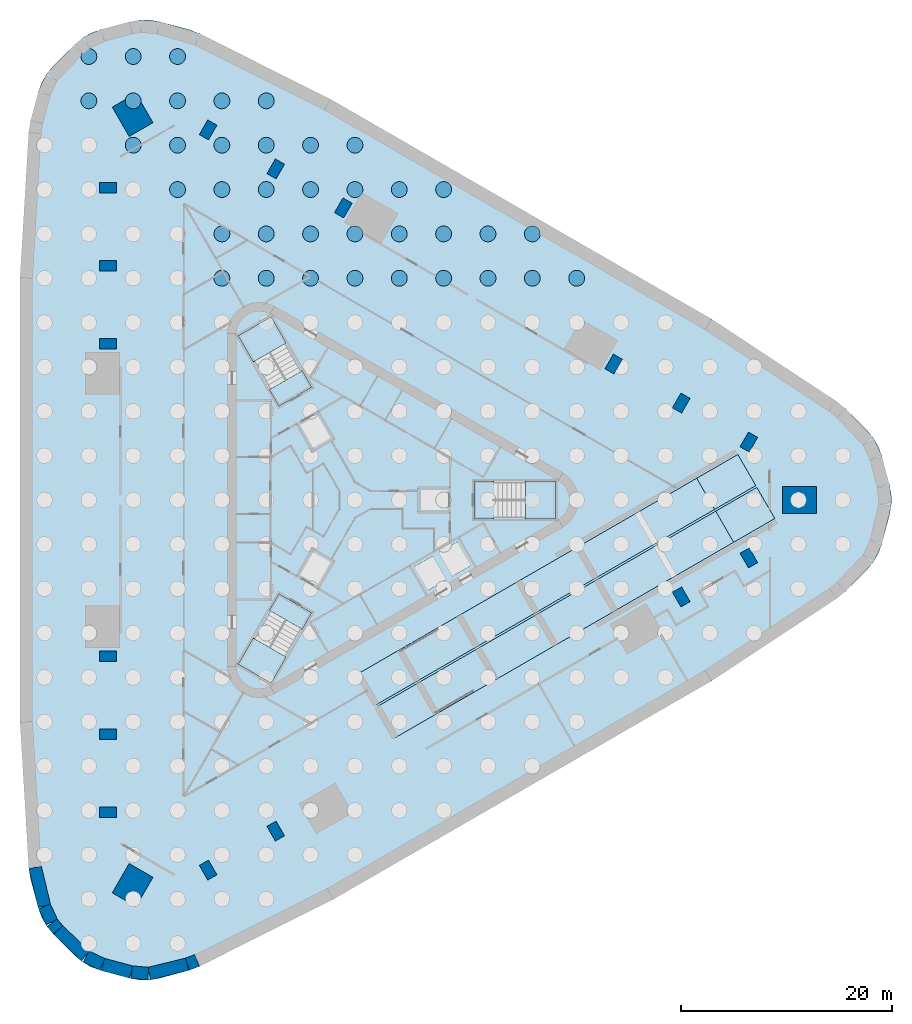
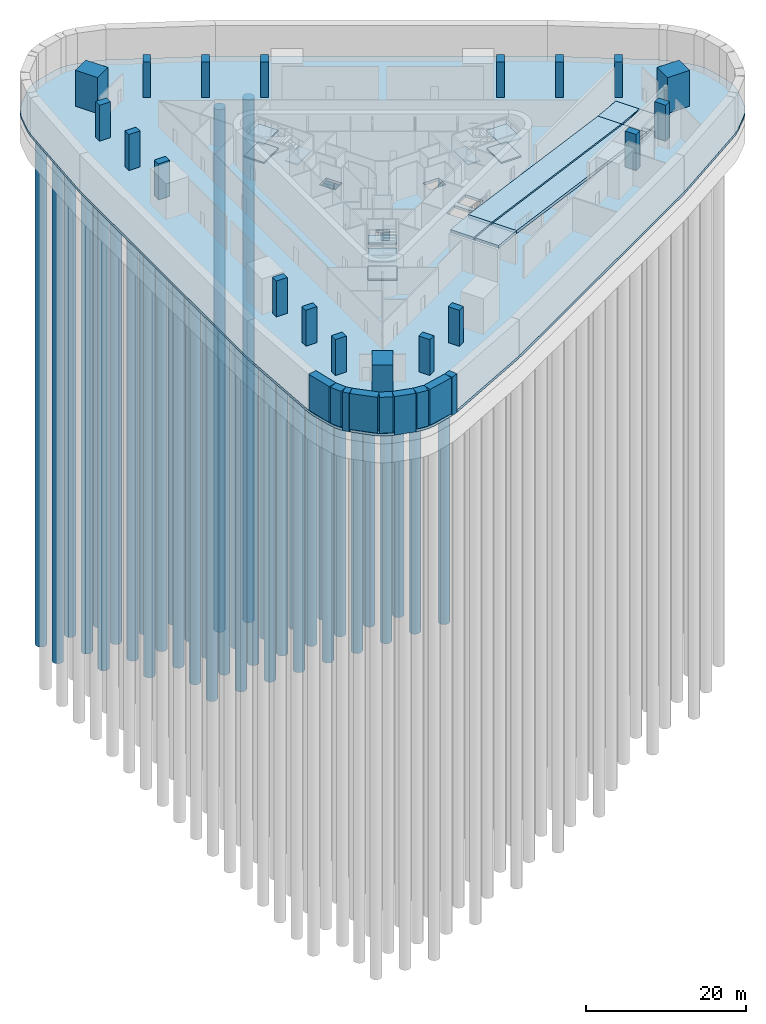
# One storey, part 2 of 13: 38 piles, 19 columns, 16 slabs, 9 walls, 3 elements without a shape of their own.
"""IFC4 building model written with IfcOpenShell, lengths in metres."""

from ifc_helpers import new_model, si_unit, direction, frame, frame_2d, origin, origin_2d, place, context, subcontext, project, spatial, polyline, rectangle, circle, outline, extrude, material, layer, layer_set, material_profile, profile_set, type_object, element, aggregate, save


model = new_model("IFC4")

# Units and contexts
model_context = context("Model", 3, precision=1e-05, world=origin(), true_north=direction((0.0, 1.0)))
body_context = subcontext(model_context, "Body", "Model", "MODEL_VIEW")
ifc_project = project(units=[si_unit("LENGTHUNIT", "METRE"), si_unit("AREAUNIT", "SQUARE_METRE"), si_unit("VOLUMEUNIT", "CUBIC_METRE"), si_unit("PLANEANGLEUNIT", "RADIAN"), si_unit("MASSUNIT", "GRAM", prefix="KILO")], contexts=[model_context])

# Site, building, storey
site_placement = place(None, origin())
site = spatial("IfcSite", under=ifc_project, at=site_placement, CompositionType="ELEMENT")
building_placement = place(site_placement, origin())
building = spatial("IfcBuilding", under=site, at=building_placement, Name="Tanit Gate Tower", CompositionType="ELEMENT")
storey_placement = place(building_placement, frame((0.0, 0.0, -11.0)))
storey = spatial("IfcBuildingStorey", under=building, at=storey_placement, Name="B2", CompositionType="ELEMENT", Elevation=-11.0)

# Piles
ifc_material_1 = material(Name="Concrete C35/45", Category="concrete")
ifc_material_profile_1 = material_profile(ifc_material_1, circle(Radius=0.75, at=origin_2d()), Name="BORED PILE D1500 C35/45")
ifc_profile_set_1 = profile_set([ifc_material_profile_1], Name="Concrete C35/45")
pile_type = type_object("IfcPileType", Name="BORED PILE D1500", PredefinedType="BORED", material=ifc_profile_set_1)
for number, where, z_axis, x_axis, name in (
    (1, (-12.60009765625, 21.0, -4.39990234375), (0.0, 0.0, -1.0), (1.0, 0.0, 0.0), "BORED PILE 213"),
    (2, (-8.39990234375, 21.0, -4.39990234375), (0.0, 0.0, -1.0), (1.0, 0.0, 0.0), "BORED PILE 214"),
    (3, (-4.199951171875, 21.0, -4.39990234375), (0.0, 0.0, -1.0), (1.0, 0.0, 0.0), "BORED PILE 215"),
    (4, (0.0, 21.0, -4.39990234375), (0.0, 0.0, -1.0), (1.0, 0.0, 0.0), "BORED PILE 216"),
    (5, (4.199951171875, 21.0, -4.39990234375), (0.0, 0.0, -1.0), (1.0, 0.0, 0.0), "BORED PILE 217"),
    (6, (8.39990234375, 21.0, -4.39990234375), (0.0, 0.0, -1.0), (1.0, 0.0, 0.0), "BORED PILE 218"),
    (7, (12.60009765625, 21.0, -4.39990234375), (0.0, 0.0, -1.0), (1.0, 0.0, 0.0), "BORED PILE 219"),
    (8, (16.800048828125, 21.0, -4.39990234375), (0.0, 0.0, -1.0), (1.0, 0.0, 0.0), "BORED PILE 220"),
    (9, (21.0, 21.0, -4.39990234375), (0.0, 0.0, -1.0), (1.0, 0.0, 0.0), "BORED PILE 221"),
    (10, (-12.60009765625, 25.199951171875, -4.39990234375), (0.0, 0.0, -1.0), (1.0, 0.0, 0.0), "BORED PILE 226"),
    (11, (-8.39990234375, 25.199951171875, -4.39990234375), (0.0, 0.0, -1.0), (1.0, 0.0, 0.0), "BORED PILE 227"),
    (12, (-4.199951171875, 25.199951171875, -4.39990234375), (0.0, 0.0, -1.0), (1.0, 0.0, 0.0), "BORED PILE 228"),
    (13, (0.0, 25.199951171875, -4.39990234375), (0.0, 0.0, -1.0), (1.0, 0.0, 0.0), "BORED PILE 229"),
    (14, (4.199951171875, 25.199951171875, -4.39990234375), (0.0, 0.0, -1.0), (1.0, 0.0, 0.0), "BORED PILE 230"),
    (15, (8.39990234375, 25.199951171875, -4.39990234375), (0.0, 0.0, -1.0), (1.0, 0.0, 0.0), "BORED PILE 231"),
    (16, (12.60009765625, 25.199951171875, -4.39990234375), (0.0, 0.0, -1.0), (1.0, 0.0, 0.0), "BORED PILE 232"),
    (17, (16.800048828125, 25.199951171875, -4.39990234375), (0.0, 0.0, -1.0), (1.0, 0.0, 0.0), "BORED PILE 233"),
    (18, (-16.800048828125, 29.39990234375, -4.39990234375), (0.0, 0.0, -1.0), (1.0, 0.0, 0.0), "BORED PILE 237"),
    (19, (-12.60009765625, 29.39990234375, -4.39990234375), (0.0, 0.0, -1.0), (1.0, 0.0, 0.0), "BORED PILE 238"),
    (20, (-8.39990234375, 29.39990234375, -4.39990234375), (0.0, 0.0, -1.0), (1.0, 0.0, 0.0), "BORED PILE 239"),
    (21, (-4.199951171875, 29.39990234375, -4.39990234375), (0.0, 0.0, -1.0), (1.0, 0.0, 0.0), "BORED PILE 240"),
    (22, (0.0, 29.39990234375, -4.39990234375), (0.0, 0.0, -1.0), (1.0, 0.0, 0.0), "BORED PILE 241"),
    (23, (4.199951171875, 29.39990234375, -4.39990234375), (0.0, 0.0, -1.0), (1.0, 0.0, 0.0), "BORED PILE 242"),
    (24, (8.39990234375, 29.39990234375, -4.39990234375), (0.0, 0.0, -1.0), (1.0, 0.0, 0.0), "BORED PILE 243"),
    (25, (-21.0, 33.60009765625, -4.39990234375), (0.0, 0.0, -1.0), (1.0, 0.0, 0.0), "BORED PILE 246"),
    (26, (-16.800048828125, 33.60009765625, -4.39990234375), (0.0, 0.0, -1.0), (1.0, 0.0, 0.0), "BORED PILE 247"),
    (27, (-12.60009765625, 33.60009765625, -4.39990234375), (0.0, 0.0, -1.0), (1.0, 0.0, 0.0), "BORED PILE 248"),
    (28, (-8.39990234375, 33.60009765625, -4.39990234375), (0.0, 0.0, -1.0), (1.0, 0.0, 0.0), "BORED PILE 249"),
    (29, (-4.199951171875, 33.60009765625, -4.39990234375), (0.0, 0.0, -1.0), (1.0, 0.0, 0.0), "BORED PILE 250"),
    (30, (0.0, 33.60009765625, -4.39990234375), (0.0, 0.0, -1.0), (1.0, 0.0, 0.0), "BORED PILE 251"),
    (31, (-25.199951171875, 37.800048828125, -4.39990234375), (0.0, 0.0, -1.0), (1.0, 0.0, 0.0), "BORED PILE 252"),
    (32, (-21.0, 37.800048828125, -4.39990234375), (0.0, 0.0, -1.0), (1.0, 0.0, 0.0), "BORED PILE 253"),
    (33, (-16.800048828125, 37.800048828125, -4.39990234375), (0.0, 0.0, -1.0), (1.0, 0.0, 0.0), "BORED PILE 254"),
    (34, (-12.60009765625, 37.800048828125, -4.39990234375), (0.0, 0.0, -1.0), (1.0, 0.0, 0.0), "BORED PILE 255"),
    (35, (-8.39990234375, 37.800048828125, -4.39990234375), (0.0, 0.0, -1.0), (1.0, 0.0, 0.0), "BORED PILE 256"),
    (36, (-25.199951171875, 42.0, -4.39990234375), (0.0, 0.0, -1.0), (1.0, 0.0, 0.0), "BORED PILE 257"),
    (37, (-21.0, 42.0, -4.39990234375), (0.0, 0.0, -1.0), (1.0, 0.0, 0.0), "BORED PILE 258"),
    (38, (-16.800048828125, 42.0, -4.39990234375), (0.0, 0.0, -1.0), (1.0, 0.0, 0.0), "BORED PILE 259"),
):
    element("IfcPile", number, at=place(storey_placement, frame(where, z_axis=z_axis, x_axis=x_axis)), inside=storey, type_object=pile_type, Name=name, PredefinedType="BORED", context=body_context, shape_type="SweptSolid", body=[
        extrude(circle(Radius=0.75, at=origin_2d()), origin(), (0.0, 0.0, 1.0), 80.0),
    ])

# Columns
ifc_material_2 = material(Name="Concrete C80/95", Category="concrete")
ifc_material_profile_2 = material_profile(ifc_material_2, rectangle(XDim=3.199951171875, YDim=2.60009765625, at=origin_2d()), Name="RC 3200x2600")
ifc_profile_set_2 = profile_set([ifc_material_profile_2], Name="Concrete C80/95")
column_type_1 = type_object("IfcColumnType", Name="MEGA COLUMN 3200x2600 C80/95", PredefinedType="COLUMN", material=ifc_profile_set_2)
for number, where, z_axis, x_axis, name in (
    (39, (42.111328125, 0.0, -0.39990234375), (0.0, 0.0, 1.0), (1.0, 0.0, 0.0), "MEGA COLUMN"),
    (40, (-21.0556640625, 36.469482421875, -0.39990234375), (0.0, 0.0, 1.0), (-0.5, 0.866025403784, 0.0), "MEGA COLUMN"),
    (41, (-21.0556640625, -36.469482421875, -0.39990234375), (0.0, 0.0, 1.0), (-0.5, -0.866025403784, 0.0), "MEGA COLUMN"),
):
    element("IfcColumn", number, at=place(storey_placement, frame(where, z_axis=z_axis, x_axis=x_axis)), inside=storey, type_object=column_type_1, Name=name, PredefinedType="COLUMN", context=body_context, shape_type="SweptSolid", body=[
        extrude(rectangle(XDim=3.199951171875, YDim=2.60009765625, at=origin_2d()), origin(), (0.0, 0.0, 1.0), 5.89990234375),
    ])
ifc_material_3 = material(Name="Concrete C70/85", Category="concrete")
ifc_material_profile_3 = material_profile(ifc_material_3, rectangle(XDim=1.60009765625, YDim=1.0, at=origin_2d()), Name="RC 1600x1000")
ifc_profile_set_3 = profile_set([ifc_material_profile_3], Name="Concrete C70/85")
column_type_2 = type_object("IfcColumnType", Name="PERIMETER COLUMN 1600x1000 C70/85", PredefinedType="COLUMN", material=ifc_profile_set_3)
for number, where, z_axis, x_axis, name in (
    (42, (-23.4033203125, 29.56591796875, -0.39990234375), (0.0, 0.0, 1.0), (-1.0, 0.0, 0.0), "PERIMETER COLUMN"),
    (43, (-23.4033203125, 22.17431640625, -0.39990234375), (0.0, 0.0, 1.0), (-1.0, 0.0, 0.0), "PERIMETER COLUMN"),
    (44, (-23.4033203125, 14.782958984375, -0.39990234375), (0.0, 0.0, 1.0), (-1.0, 0.0, 0.0), "PERIMETER COLUMN"),
    (45, (-23.4033203125, -14.782958984375, -0.39990234375), (0.0, 0.0, 1.0), (-1.0, 0.0, 0.0), "PERIMETER COLUMN"),
    (46, (-23.4033203125, -22.17431640625, -0.39990234375), (0.0, 0.0, 1.0), (-1.0, 0.0, 0.0), "PERIMETER COLUMN"),
    (47, (-23.4033203125, -29.56591796875, -0.39990234375), (0.0, 0.0, 1.0), (-1.0, 0.0, 0.0), "PERIMETER COLUMN"),
    (48, (37.306396484375, 5.485107421875, -0.39990234375), (0.0, 0.0, 1.0), (0.5, 0.866025403784, 0.0), "PERIMETER COLUMN"),
    (49, (30.9052734375, 9.180908203125, -0.39990234375), (0.0, 0.0, 1.0), (0.5, 0.866025403784, 0.0), "PERIMETER COLUMN"),
    (50, (24.504150390625, 12.87646484375, -0.39990234375), (0.0, 0.0, 1.0), (0.5, 0.866025403784, 0.0), "PERIMETER COLUMN"),
    (51, (-1.1005859375, 27.659423828125, -0.39990234375), (0.0, 0.0, 1.0), (0.5, 0.866025403784, 0.0), "PERIMETER COLUMN"),
    (52, (-7.501708984375, 31.35498046875, -0.39990234375), (0.0, 0.0, 1.0), (0.5, 0.866025403784, 0.0), "PERIMETER COLUMN"),
    (53, (-13.903076171875, 35.05078125, -0.39990234375), (0.0, 0.0, 1.0), (0.5, 0.866025403784, 0.0), "PERIMETER COLUMN"),
    (54, (-13.903076171875, -35.05078125, -0.39990234375), (0.0, 0.0, 1.0), (0.5, -0.866025403784, 0.0), "PERIMETER COLUMN"),
    (55, (-7.501708984375, -31.35498046875, -0.39990234375), (0.0, 0.0, 1.0), (0.5, -0.866025403784, 0.0), "PERIMETER COLUMN"),
    (56, (30.9052734375, -9.180908203125, -0.39990234375), (0.0, 0.0, 1.0), (0.5, -0.866025403784, 0.0), "PERIMETER COLUMN"),
    (57, (37.306396484375, -5.485107421875, -0.39990234375), (0.0, 0.0, 1.0), (0.5, -0.866025403784, 0.0), "PERIMETER COLUMN"),
):
    element("IfcColumn", number, at=place(storey_placement, frame(where, z_axis=z_axis, x_axis=x_axis)), inside=storey, type_object=column_type_2, Name=name, PredefinedType="COLUMN", context=body_context, shape_type="SweptSolid", body=[
        extrude(rectangle(XDim=1.60009765625, YDim=1.0, at=origin_2d()), origin(), (0.0, 0.0, 1.0), 5.89990234375),
    ])

# Slab
ifc_material_4 = material(Name="Concrete C35/45", Category="concrete")
ifc_layer_1 = layer(ifc_material_4, 0.39990234375)
ifc_layer_set_1 = layer_set([ifc_layer_1], Name="BASEMENT FLOOR SLAB 400 C35/45")
slab_type_1 = type_object("IfcSlabType", Name="BASEMENT FLOOR SLAB 400 C35/45", PredefinedType="FLOOR", material=ifc_layer_set_1)
slab_1_placement = place(storey_placement, frame((0.0, 0.0, -0.39990234375)))
element("IfcSlab", 58, at=slab_1_placement, inside=storey, type_object=slab_type_1, Name="FLOOR SLAB B2", PredefinedType="FLOOR", context=body_context, shape_type="SweptSolid", body=[
    extrude(outline(polyline([(49.576416015625, 5.031982421875), (49.8876953125, 4.17138671875), (50.623779296875, 1.423583984375), (50.792236328125, 0.435791015625), (50.792236328125, -0.435791015625), (50.63330078125, -1.380859375), (49.8876953125, -4.17138671875), (49.576416015625, -5.031982421875), (49.103759765625, -5.86572265625), (48.464111328125, -6.636962890625), (46.45263671875, -8.6484375), (45.63330078125, -9.320068359375), (33.781005859375, -17.131591796875), (-2.0517578125, -37.822998046875), (-14.69970703125, -44.15966796875), (-15.688720703125, -44.537841796875), (-18.484375, -45.28955078125), (-19.47216796875, -45.4580078125), (-20.343505859375, -45.4580078125), (-21.288818359375, -45.299072265625), (-24.0791015625, -44.55322265625), (-25.018798828125, -44.205322265625), (-25.844970703125, -43.719482421875), (-26.544677734375, -43.1298828125), (-28.55615234375, -41.118408203125), (-29.19580078125, -40.34716796875), (-29.66845703125, -39.51318359375), (-29.979736328125, -38.652587890625), (-30.716064453125, -35.90478515625), (-30.88818359375, -34.859619140625), (-31.71728515625, -21.0166015625), (-31.719970703125, 21.017822265625), (-30.8935546875, 34.810302734375), (-30.716064453125, 35.90478515625), (-29.966552734375, 38.6943359375), (-29.66845703125, 39.51318359375), (-29.19580078125, 40.34716796875), (-28.55615234375, 41.118408203125), (-26.544677734375, 43.1298828125), (-25.7734375, 43.76953125), (-24.939697265625, 44.2421875), (-24.0791015625, 44.55322265625), (-21.331298828125, 45.28955078125), (-20.343505859375, 45.4580078125), (-19.38525390625, 45.450439453125), (-18.484375, 45.28955078125), (-15.736572265625, 44.55322265625), (-14.698974609375, 44.1591796875), (-2.31640625, 37.962158203125), (33.781494140625, 17.134765625), (45.59326171875, 9.349609375), (46.45263671875, 8.6484375), (48.464111328125, 6.636962890625), (49.103759765625, 5.86572265625), (49.576416015625, 5.031982421875)]), holes=[polyline([(6.897216796875, -8.54638671875), (5.622314453125, -6.337890625), (7.354248046875, -5.337890625), (8.62939453125, -7.54638671875), (6.897216796875, -8.54638671875)]), polyline([(9.235595703125, -7.1962890625), (7.96044921875, -4.988037109375), (9.692626953125, -3.988037109375), (10.967529296875, -6.1962890625), (9.235595703125, -7.1962890625)]), polyline([(6.35009765625, -0.85009765625), (6.35009765625, 0.85009765625), (8.64990234375, 0.85009765625), (8.64990234375, -0.85009765625), (6.35009765625, -0.85009765625)]), polyline([(-2.43896484375, 5.92431640625), (-3.9111328125, 5.07421875), (-5.06103515625, 7.066162109375), (-3.5888671875, 7.916015625), (-2.43896484375, 5.92431640625)]), polyline([(-3.9111328125, -5.07421875), (-2.43896484375, -5.92431640625), (-3.5888671875, -7.916015625), (-5.06103515625, -7.066162109375), (-3.9111328125, -5.07421875)]), polyline([(39.76220703125, -1.75390625), (38.062255859375, 1.190673828125), (34.1650390625, -1.059326171875), (35.864990234375, -4.00390625), (39.76220703125, -1.75390625)]), polyline([(37.962158203125, 1.364013671875), (36.26220703125, 4.308349609375), (32.364990234375, 2.058349609375), (34.065185546875, -0.88623046875), (37.962158203125, 1.364013671875)])]), origin(), (0.0, 0.0, 1.0), 0.39990234375),
])

# Stair, slabs
ifc_material_5 = material(Name="Concrete C40/50", Category="concrete")
stair_type = type_object("IfcStairType", Name="INT-STAIR-EXIT", PredefinedType="HALF_TURN_STAIR", material=ifc_material_5)
stair_1_placement = place(storey_placement, origin())
stair_1 = element("IfcStair", 59, at=stair_1_placement, inside=storey, type_object=stair_type, Name="B2 STAIR S1", PredefinedType="HALF_TURN_STAIR")
ifc_material_6 = material(Name="Concrete C40/50", Category="concrete")
ifc_layer_2 = layer(ifc_material_6, 0.199951171875)
ifc_layer_set_2 = layer_set([ifc_layer_2], Name="INT-STAIR-LANDING")
slab_type_2 = type_object("IfcSlabType", Name="INT-STAIR-LANDING", PredefinedType="LANDING", material=ifc_layer_set_2)
slab_2_placement = place(storey_placement, frame((0.0, 0.0, 1.175048828125)))
slab_2 = element("IfcSlab", 60, at=slab_2_placement, type_object=slab_type_2, Name="S1 landing 1", PredefinedType="LANDING", context=body_context, shape_type="SweptSolid", body=[
    extrude(outline(polyline([(16.135986328125, -1.800048828125), (19.0, -1.800048828125), (19.0, 1.800048828125), (16.135986328125, 1.800048828125), (16.135986328125, -1.800048828125)])), origin(), (0.0, 0.0, 1.0), 0.199951171875),
])
slab_3_placement = place(storey_placement, frame((0.0, 0.0, 2.550048828125)))
slab_3 = element("IfcSlab", 61, at=slab_3_placement, type_object=slab_type_2, Name="S1 landing 2", PredefinedType="LANDING", context=body_context, shape_type="SweptSolid", body=[
    extrude(outline(polyline([(11.300048828125, -1.800048828125), (13.10498046875, -1.800048828125), (13.10498046875, 1.800048828125), (11.300048828125, 1.800048828125), (11.300048828125, -1.800048828125)])), origin(), (0.0, 0.0, 1.0), 0.199951171875),
])
slab_4_placement = place(storey_placement, frame((0.0, 0.0, 3.925048828125)))
slab_4 = element("IfcSlab", 62, at=slab_4_placement, type_object=slab_type_2, Name="S1 landing 3", PredefinedType="LANDING", context=body_context, shape_type="SweptSolid", body=[
    extrude(outline(polyline([(16.135986328125, -1.800048828125), (19.0, -1.800048828125), (19.0, 1.800048828125), (16.135986328125, 1.800048828125), (16.135986328125, -1.800048828125)])), origin(), (0.0, 0.0, 1.0), 0.199951171875),
])
aggregate(stair_1, [slab_2, slab_3, slab_4])

stair_2_placement = place(storey_placement, origin())
stair_2 = element("IfcStair", 63, at=stair_2_placement, inside=storey, type_object=stair_type, Name="B2 STAIR S2", PredefinedType="HALF_TURN_STAIR")
slab_5_placement = place(storey_placement, frame((0.0, 0.0, 1.175048828125)))
slab_5 = element("IfcSlab", 64, at=slab_5_placement, type_object=slab_type_2, Name="S2 landing 1", PredefinedType="LANDING", context=body_context, shape_type="SweptSolid", body=[
    extrude(outline(polyline([(-6.5078125, 14.871826171875), (-7.941162109375, 17.3544921875), (-11.058837890625, 15.554443359375), (-9.62548828125, 13.07177734375), (-6.5078125, 14.871826171875)])), origin(), (0.0, 0.0, 1.0), 0.199951171875),
])
slab_6_placement = place(storey_placement, frame((0.0, 0.0, 2.550048828125)))
slab_6 = element("IfcSlab", 65, at=slab_6_placement, type_object=slab_type_2, Name="S2 landing 2", PredefinedType="LANDING", context=body_context, shape_type="SweptSolid", body=[
    extrude(outline(polyline([(-4.091064453125, 10.68603515625), (-4.9931640625, 12.248291015625), (-8.11083984375, 10.448486328125), (-7.208740234375, 8.885986328125), (-4.091064453125, 10.68603515625)])), origin(), (0.0, 0.0, 1.0), 0.199951171875),
])
slab_7_placement = place(storey_placement, frame((0.0, 0.0, 3.925048828125)))
slab_7 = element("IfcSlab", 66, at=slab_7_placement, type_object=slab_type_2, Name="S2 landing 3", PredefinedType="LANDING", context=body_context, shape_type="SweptSolid", body=[
    extrude(outline(polyline([(-6.5078125, 14.871826171875), (-7.941162109375, 17.3544921875), (-11.058837890625, 15.554443359375), (-9.62548828125, 13.07177734375), (-6.5078125, 14.871826171875)])), origin(), (0.0, 0.0, 1.0), 0.199951171875),
])
aggregate(stair_2, [slab_5, slab_6, slab_7])

stair_3_placement = place(storey_placement, origin())
stair_3 = element("IfcStair", 67, at=stair_3_placement, inside=storey, type_object=stair_type, Name="B2 STAIR S3", PredefinedType="HALF_TURN_STAIR")
slab_8_placement = place(storey_placement, frame((0.0, 0.0, 1.175048828125)))
slab_8 = element("IfcSlab", 68, at=slab_8_placement, type_object=slab_type_2, Name="S3 landing 1", PredefinedType="LANDING", context=body_context, shape_type="SweptSolid", body=[
    extrude(outline(polyline([(-9.626953125, -13.07421875), (-11.058837890625, -15.554443359375), (-7.941162109375, -17.3544921875), (-6.509033203125, -14.874267578125), (-9.626953125, -13.07421875)])), origin(), (0.0, 0.0, 1.0), 0.199951171875),
])
slab_9_placement = place(storey_placement, frame((0.0, 0.0, 2.550048828125)))
slab_9 = element("IfcSlab", 69, at=slab_9_placement, type_object=slab_type_2, Name="S3 landing 2", PredefinedType="LANDING", context=body_context, shape_type="SweptSolid", body=[
    extrude(outline(polyline([(-7.208740234375, -8.885986328125), (-8.111328125, -10.44921875), (-4.99365234375, -12.249267578125), (-4.091064453125, -10.68603515625), (-7.208740234375, -8.885986328125)])), origin(), (0.0, 0.0, 1.0), 0.199951171875),
])
slab_10_placement = place(storey_placement, frame((0.0, 0.0, 3.925048828125)))
slab_10 = element("IfcSlab", 70, at=slab_10_placement, type_object=slab_type_2, Name="S3 landing 3", PredefinedType="LANDING", context=body_context, shape_type="SweptSolid", body=[
    extrude(outline(polyline([(-9.626953125, -13.07421875), (-11.058837890625, -15.554443359375), (-7.941162109375, -17.3544921875), (-6.509033203125, -14.874267578125), (-9.626953125, -13.07421875)])), origin(), (0.0, 0.0, 1.0), 0.199951171875),
])
aggregate(stair_3, [slab_8, slab_9, slab_10])

# Slabs
ifc_material_7 = material(Name="Concrete C40/50", Category="concrete")
ifc_layer_3 = layer(ifc_material_7, 0.449951171875)
ifc_layer_set_3 = layer_set([ifc_layer_3], Name="VEHICLE RAMP FLIGHT 450 C40/50")
slab_type_3 = type_object("IfcSlabType", Name="VEHICLE RAMP FLIGHT 450 C40/50", PredefinedType="USERDEFINED", material=ifc_layer_set_3)
slab_11_placement = place(storey_placement, frame((37.962158203125, 1.36376953125, 0.0), z_axis=(0.082133426795, 0.047418587524, 0.995492630691), x_axis=(-0.862114072575, -0.497759885522, 0.094838927839)))
element("IfcSlab", 71, at=slab_11_placement, inside=storey, type_object=slab_type_3, Name="VEHICLE RAMP R2-UP FLIGHT 1", ObjectType="VEHICLE RAMP", PredefinedType="USERDEFINED", context=body_context, shape_type="SweptSolid", body=[
    extrude(outline(polyline([(0.0, 0.0), (2.260126597741051, 3.046946917863169e-17), (4.520253195482102, 6.093893835726338e-17), (4.520226664994966, -1.700195119475708), (4.52032165791738, -3.4001788088605465), (2.2599845831078302, -3.4000567352702418), (-0.00014201463322049968, -3.4000567352702413), (-0.0002370075556357154, -1.7000730458854025), (0.0, 0.0)])), origin(), (-0.094838927839, 2.493513e-06, -0.995492630691), 0.4521484375),
])
slab_12_placement = place(storey_placement, frame((34.065185546875, -0.88623046875, 0.4287109375), z_axis=(0.122468068959, 0.070705230178, 0.989950676807), x_axis=(-0.857323732736, -0.494973089976, 0.141413073964)))
element("IfcSlab", 72, at=slab_12_placement, inside=storey, type_object=slab_type_3, Name="VEHICLE RAMP R2-UP FLIGHT 2", ObjectType="VEHICLE RAMP", PredefinedType="USERDEFINED", context=body_context, shape_type="SweptSolid", body=[
    extrude(outline(polyline([(0.0, 0.0), (16.415032194269497, -2.112879641212595e-15), (32.83006438853899, -4.22575928242519e-15), (32.82985960533751, -1.7000730499516432), (32.829984972727516, -3.400056737304113), (16.414952778458023, -3.4000567373041117), (0.00012989174046351692, -3.400178807028077), (4.524350459278459e-06, -1.7001951196756058), (0.0, 0.0)])), origin(), (-0.141413073964, 1.126656e-06, -0.989950676807), 0.45458984375),
])
slab_13_placement = place(storey_placement, frame((5.919189453125, -17.13623046875, 5.0712890625), z_axis=(0.082133426795, 0.047418587524, 0.995492630691), x_axis=(-0.862114072575, -0.497759885522, 0.094838927839)))
element("IfcSlab", 73, at=slab_13_placement, inside=storey, type_object=slab_type_3, Name="VEHICLE RAMP R2-UP FLIGHT 3", ObjectType="VEHICLE RAMP", PredefinedType="USERDEFINED", context=body_context, shape_type="SweptSolid", body=[
    extrude(outline(polyline([(0.0, 0.0), (2.260126597741051, 3.046946917863169e-17), (4.520253195482102, 6.093893835726338e-17), (4.520226664994966, -1.700195119475708), (4.52032165791738, -3.4001788088605465), (2.2599845831078302, -3.4000567352702418), (-0.00014201463322049968, -3.4000567352702413), (-0.0002370075556357154, -1.7000730458854025), (0.0, 0.0)])), origin(), (-0.094838927839, 2.493513e-06, -0.995492630691), 0.4521484375),
])
slab_14_placement = place(storey_placement, frame((39.76220703125, -1.75390625, 0.0), z_axis=(0.082134016066, 0.04741722526, 0.995492646961), x_axis=(-0.862114086672, -0.497759893654, 0.094838757008)))
element("IfcSlab", 74, at=slab_14_placement, inside=storey, type_object=slab_type_3, Name="VEHICLE RAMP R2-DN FLIGHT 1", ObjectType="VEHICLE RAMP", PredefinedType="USERDEFINED", context=body_context, shape_type="SweptSolid", body=[
    extrude(outline(polyline([(0.0, 0.0), (2.2601265977397267, -3.113693114106808e-18), (4.520463672551395, -0.00012207356073968347), (4.520348188412921, -1.699983689363369), (4.520321657934852, -3.4001788088346765), (2.259984583123184, -3.400056735273937), (-0.00014201461654250735, -3.400056735273937), (-2.6530478068997887e-05, -1.7001951194713074), (0.0, 0.0)])), origin(), (-0.094838757008, 3.961254e-06, -0.995492646961), 0.4521484375),
])
slab_15_placement = place(storey_placement, frame((35.864990234375, -4.00390625, 0.4287109375), z_axis=(0.122468972997, 0.070703213579, 0.989950708996), x_axis=(-0.857320042337, -0.494979546313, 0.141412848562)))
element("IfcSlab", 75, at=slab_15_placement, inside=storey, type_object=slab_type_3, Name="VEHICLE RAMP R2-DN FLIGHT 2", ObjectType="VEHICLE RAMP", PredefinedType="USERDEFINED", context=body_context, shape_type="SweptSolid", body=[
    extrude(outline(polyline([(0.0, 0.0), (16.414822887166768, 2.0615968784540306e-15), (32.829855080984494, -0.00012207121475192446), (32.82996780636289, -1.7001057594047861), (32.82975038047452, -3.400178807842486), (16.414718186656792, -3.40005673662773), (-0.00010470050997590796, -3.4000567366277323), (-9.658127256895188e-05, -1.6998616169752765), (0.0, 0.0)])), origin(), (-0.141412848562, 4.354632e-06, -0.989950708996), 0.45458984375),
])
slab_16_placement = place(storey_placement, frame((7.71923828125, -20.25390625, 5.0712890625), z_axis=(0.082134749547, 0.047421053683, 0.995492404082), x_axis=(-0.862113876321, -0.497759772219, 0.094841306479)))
element("IfcSlab", 76, at=slab_16_placement, inside=storey, type_object=slab_type_3, Name="VEHICLE RAMP R2-DN FLIGHT 3", ObjectType="VEHICLE RAMP", PredefinedType="USERDEFINED", context=body_context, shape_type="SweptSolid", body=[
    extrude(outline(polyline([(0.0, 0.0), (2.2601265977525657, 1.2907765676618832e-16), (4.520463672525718, -0.00012207361986967533), (4.520226665011509, -1.7001951194764122), (4.5203216578997765, -3.400178808879024), (2.2601950601472103, -3.400178808879024), (-0.00014201462594165548, -3.4000567352591546), (9.499288826697594e-05, -1.6999836894026121), (0.0, 0.0)])), origin(), (-0.094841306479, 1.025816e-06, -0.995492404082), 0.4521484375),
])

# Walls
ifc_material_8 = material(Name="Concrete C35/45", Category="concrete")
ifc_layer_4 = layer(ifc_material_8, 1.199951171875)
ifc_layer_set_4 = layer_set([ifc_layer_4], Name="DIAPHRAGM WALL 1200 C35/45")
wall_type = type_object("IfcWallType", Name="DIAPHRAGM WALL 1200 C35/45", PredefinedType="SHEAR", material=ifc_layer_set_4)
wall_1_placement = place(storey_placement, frame((-14.955810546875, -43.615234375, -0.39990234375), z_axis=(0.0, 0.0, 1.0), x_axis=(-0.934009598516, -0.357247910953, 0.0)))
element("IfcWall", 77, at=wall_1_placement, inside=storey, type_object=wall_type, Name="DIAPHRAGM WALL", PredefinedType="SHEAR", context=body_context, shape_type="SweptSolid", body=[
    extrude(rectangle(XDim=0.96435546875, YDim=1.199951171875, at=frame_2d((0.482177734375, 0.0))), origin(), (0.0, 0.0, 1.0), 5.89990234375),
])
wall_2_placement = place(storey_placement, frame((-15.892333984375, -43.970947265625, -0.39990234375), z_axis=(0.0, 0.0, 1.0), x_axis=(-0.971425470108, -0.237344804085, 0.0)))
element("IfcWall", 78, at=wall_2_placement, inside=storey, type_object=wall_type, Name="DIAPHRAGM WALL", PredefinedType="SHEAR", context=body_context, shape_type="SweptSolid", body=[
    extrude(rectangle(XDim=3.687744140625, YDim=1.199951171875, at=frame_2d((1.84375, 0.0))), origin(), (0.0, 0.0, 1.0), 5.89990234375),
])
wall_3_placement = place(storey_placement, frame((-19.572509765625, -44.853515625, -0.39990234375), z_axis=(0.0, 0.0, 1.0), x_axis=(-0.996059823609, 0.088683864333, 0.0)))
element("IfcWall", 79, at=wall_3_placement, inside=storey, type_object=wall_type, Name="DIAPHRAGM WALL", PredefinedType="SHEAR", context=body_context, shape_type="SweptSolid", body=[
    extrude(rectangle(XDim=1.569091796875, YDim=1.199951171875, at=frame_2d((0.78466796875, 0.0))), origin(), (0.0, 0.0, 1.0), 5.89990234375),
])
wall_4_placement = place(storey_placement, frame((-21.186279296875, -44.705322265625, -0.39990234375), z_axis=(0.0, 0.0, 1.0), x_axis=(-0.966093358166, 0.25819299624, 0.0)))
element("IfcWall", 80, at=wall_4_placement, inside=storey, type_object=wall_type, Name="DIAPHRAGM WALL", PredefinedType="SHEAR", context=body_context, shape_type="SweptSolid", body=[
    extrude(rectangle(XDim=2.779052734375, YDim=1.199951171875, at=frame_2d((1.3896484375, 0.0))), origin(), (0.0, 0.0, 1.0), 5.89990234375),
])
wall_5_placement = place(storey_placement, frame((-23.92138671875, -43.969482421875, -0.39990234375), z_axis=(0.0, 0.0, 1.0), x_axis=(-0.904821972128, 0.425790087665, 0.0)))
element("IfcWall", 81, at=wall_5_placement, inside=storey, type_object=wall_type, Name="DIAPHRAGM WALL", PredefinedType="SHEAR", context=body_context, shape_type="SweptSolid", body=[
    extrude(rectangle(XDim=1.692138671875, YDim=1.199951171875, at=frame_2d((0.84619140625, 0.0))), origin(), (0.0, 0.0, 1.0), 5.89990234375),
])
wall_6_placement = place(storey_placement, frame((-25.53271484375, -43.19384765625, -0.39990234375), z_axis=(0.0, 0.0, 1.0), x_axis=(-0.720885754077, 0.69305391534, 0.0)))
element("IfcWall", 82, at=wall_6_placement, inside=storey, type_object=wall_type, Name="DIAPHRAGM WALL", PredefinedType="SHEAR", context=body_context, shape_type="SweptSolid", body=[
    extrude(rectangle(XDim=3.5615234375, YDim=1.199951171875, at=frame_2d((1.78076171875, 0.0))), origin(), (0.0, 0.0, 1.0), 5.89990234375),
])
wall_7_placement = place(storey_placement, frame((-28.123046875, -40.70068359375, -0.39990234375), z_axis=(0.0, 0.0, 1.0), x_axis=(-0.638405236623, 0.769700431241, 0.0)))
element("IfcWall", 83, at=wall_7_placement, inside=storey, type_object=wall_type, Name="DIAPHRAGM WALL", PredefinedType="SHEAR", context=body_context, shape_type="SweptSolid", body=[
    extrude(rectangle(XDim=0.86474609375, YDim=1.199951171875, at=frame_2d((0.432373046875, 0.0))), origin(), (0.0, 0.0, 1.0), 5.89990234375),
])
wall_8_placement = place(storey_placement, frame((-28.716552734375, -39.96923828125, -0.39990234375), z_axis=(0.0, 0.0, 1.0), x_axis=(-0.418752044047, 0.908100614253, 0.0)))
element("IfcWall", 84, at=wall_8_placement, inside=storey, type_object=wall_type, Name="DIAPHRAGM WALL", PredefinedType="SHEAR", context=body_context, shape_type="SweptSolid", body=[
    extrude(rectangle(XDim=1.618408203125, YDim=1.199951171875, at=frame_2d((0.80908203125, 0.0))), origin(), (0.0, 0.0, 1.0), 5.89990234375),
])
wall_9_placement = place(storey_placement, frame((-29.413818359375, -38.444091796875, -0.39990234375), z_axis=(0.0, 0.0, 1.0), x_axis=(-0.233605714724, 0.972331409576, 0.0)))
element("IfcWall", 85, at=wall_9_placement, inside=storey, type_object=wall_type, Name="DIAPHRAGM WALL", PredefinedType="SHEAR", context=body_context, shape_type="SweptSolid", body=[
    extrude(rectangle(XDim=3.72900390625, YDim=1.199951171875, at=frame_2d((1.864501953125, 0.0))), origin(), (0.0, 0.0, 1.0), 5.89990234375),
])

save(model, "model.ifc")
